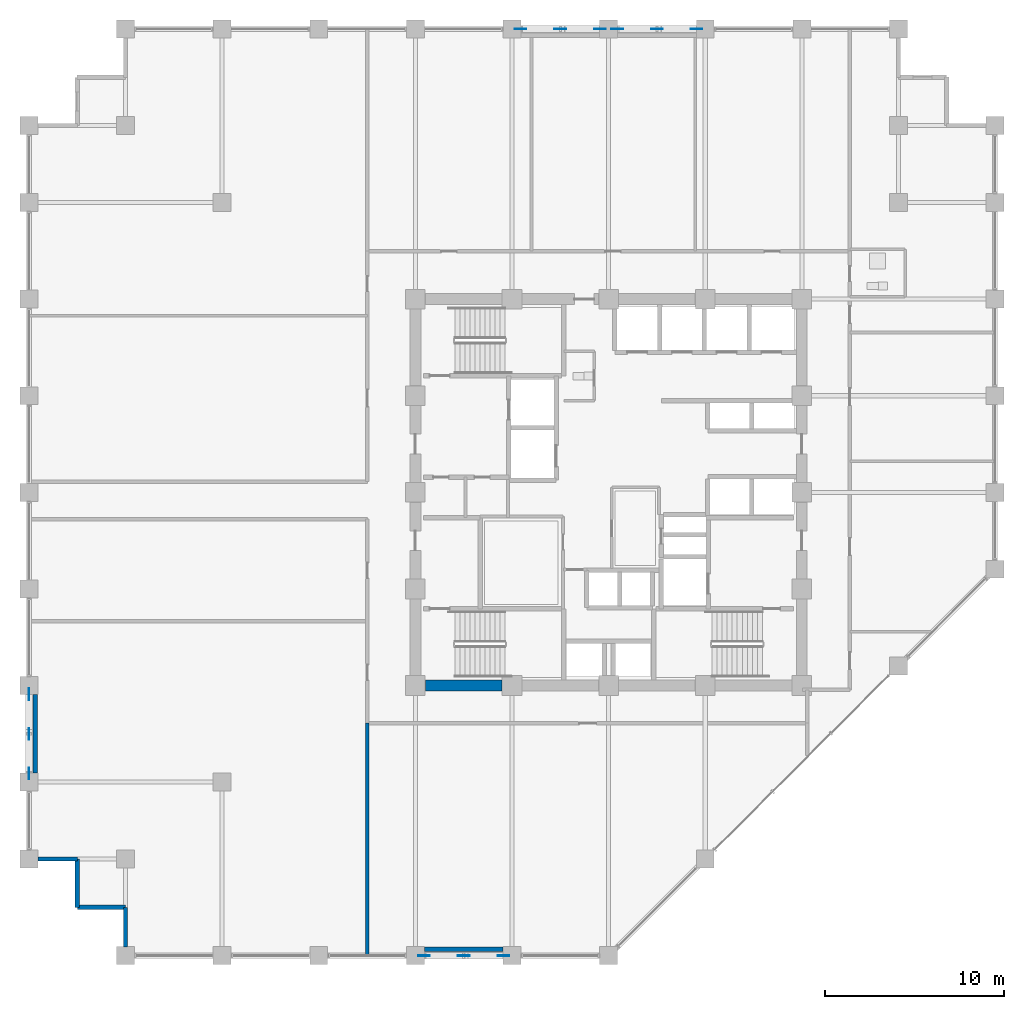
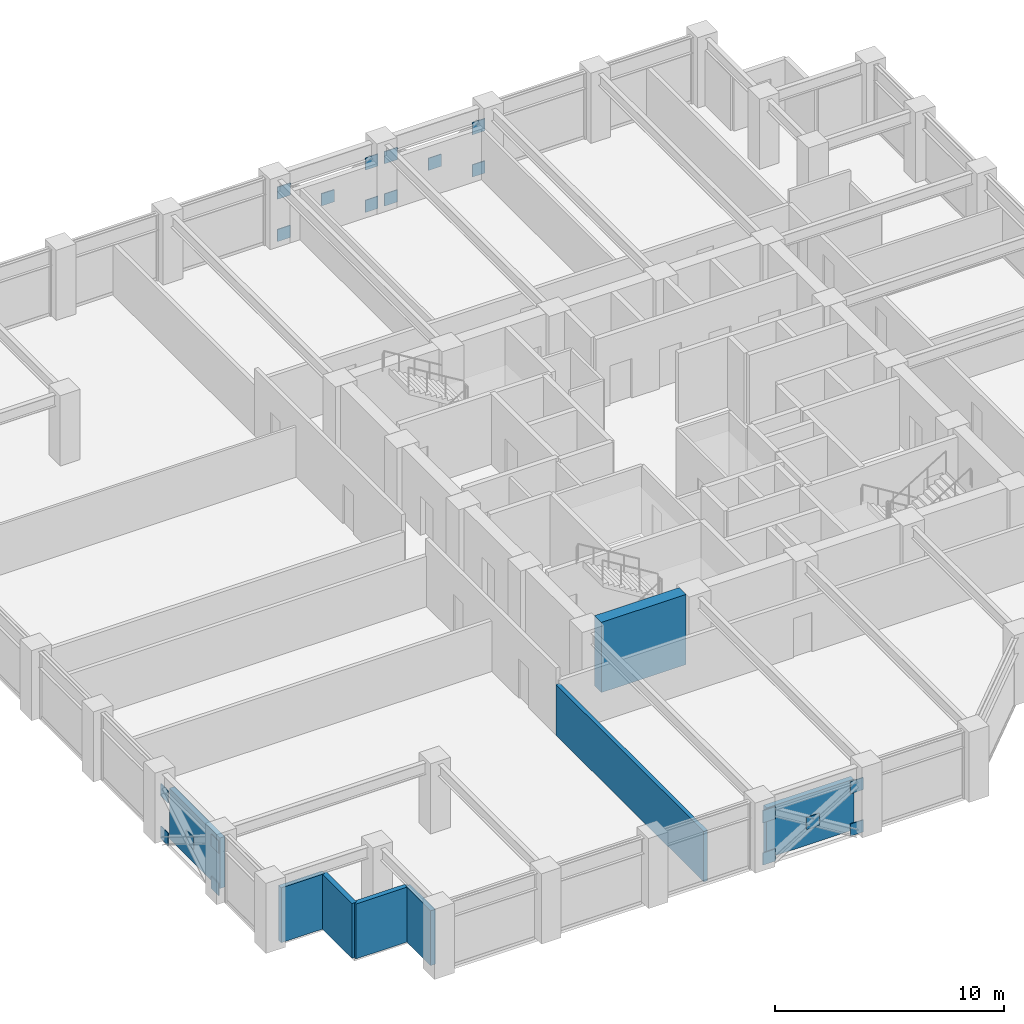
# One storey, part 18 of 23: 20 plates, 8 walls.
"""IFC4 building model written with IfcOpenShell, lengths in metres."""

import ifcopenshell
import ifcopenshell.guid

model = None  # the IFC model being written
_history = None  # IfcOwnerHistory: only IFC2X3 demands one
_inside = {}  # id of a spatial element -> (the spatial element, [elements in it])
_under = {}  # id of a project, library or spatial element -> (it, [spatial elements below it])
_declared = {}  # id of a project -> (the project, [libraries it declares])
_typed = {}  # id of a type object -> (the type object, [elements of that type])
_made_of = {}  # id of a material, layer set ... -> (it, [elements and type objects made of it])


def new_model(schema):
    """Start an empty IFC model of exactly this schema.

    Asked for "IFC4X3", IfcOpenShell would pick the latest addendum, in which some entities
    have other attributes; the version numbers below select the first issue.
    IFC2X3 requires an IfcOwnerHistory on every rooted entity: one is made here for all.
    """
    global model, _history
    if schema == "IFC4X3":
        model = ifcopenshell.file(schema_version=(4, 3, 0, 0))
    else:
        model = ifcopenshell.file(schema=schema)
    _inside.clear()
    _under.clear()
    _declared.clear()
    _typed.clear()
    _made_of.clear()
    _history = None
    if model.schema == "IFC2X3":
        org = make("IfcOrganization", Name="unknown")
        user = make(
            "IfcPersonAndOrganization",
            ThePerson=make("IfcPerson", FamilyName="unknown"),
            TheOrganization=org,
        )
        app = make(
            "IfcApplication",
            ApplicationDeveloper=org,
            Version="unknown",
            ApplicationFullName="unknown",
            ApplicationIdentifier="unknown",
        )
        _history = make(
            "IfcOwnerHistory",
            OwningUser=user,
            OwningApplication=app,
            ChangeAction="ADDED",
            CreationDate=0,
        )
    return model


def make(cls, **values):
    """One entity of the class cls with the attributes given. An attribute that is None is left unset."""
    return model.create_entity(
        cls, **{name: value for name, value in values.items() if value is not None}
    )


def rooted(cls, **values):
    """An entity with a GlobalId (a new one), such as an element, a storey or a relation."""
    return make(cls, GlobalId=ifcopenshell.guid.new(), OwnerHistory=_history, **values)


def si_unit(unit_type, name, prefix=None):
    """IfcSIUnit, for example si_unit("LENGTHUNIT", "METRE", prefix="MILLI")."""
    return make("IfcSIUnit", UnitType=unit_type, Prefix=prefix, Name=name)


def assignment(units):
    """IfcUnitAssignment: the units of a project."""
    return None if units is None else make("IfcUnitAssignment", Units=units)


def point(xyz):
    """IfcCartesianPoint."""
    return None if xyz is None else make("IfcCartesianPoint", Coordinates=xyz)


def direction(xyz):
    """IfcDirection."""
    return None if xyz is None else make("IfcDirection", DirectionRatios=xyz)


def frame(location, z_axis=None, x_axis=None):
    """IfcAxis2Placement3D, a coordinate frame: its origin and axes. An axis left out is left unset."""
    return make(
        "IfcAxis2Placement3D",
        Location=point(location),
        Axis=direction(z_axis),
        RefDirection=direction(x_axis),
    )


def frame_2d(location, x_axis=None):
    """IfcAxis2Placement2D, a coordinate frame in the plane: its origin and x axis."""
    return make(
        "IfcAxis2Placement2D", Location=point(location), RefDirection=direction(x_axis)
    )


def origin():
    """The frame at (0, 0, 0) with its axes left unset."""
    return frame((0.0, 0.0, 0.0))


def origin_2d():
    """The frame at (0, 0) in the plane with its x axis left unset."""
    return frame_2d((0.0, 0.0))


def place(relative_to, where):
    """IfcLocalPlacement: puts the frame where relative to a parent placement (None: the world)."""
    return make(
        "IfcLocalPlacement", PlacementRelTo=relative_to, RelativePlacement=where
    )


def context(
    kind, dimensions, precision=None, world=None, true_north=None, identifier=None
):
    """IfcGeometricRepresentationContext, for example the 3D "Model" context."""
    return make(
        "IfcGeometricRepresentationContext",
        ContextIdentifier=identifier,
        ContextType=kind,
        CoordinateSpaceDimension=dimensions,
        Precision=precision,
        WorldCoordinateSystem=world,
        TrueNorth=true_north,
    )


def subcontext(parent, identifier, kind, view, scale=None):
    """IfcGeometricRepresentationSubContext, for example "Body" below "Model"."""
    return make(
        "IfcGeometricRepresentationSubContext",
        ContextIdentifier=identifier,
        ContextType=kind,
        ParentContext=parent,
        TargetScale=scale,
        TargetView=view,
    )


def project(units=None, contexts=None):
    """IfcProject with its units and contexts."""
    return rooted(
        "IfcProject",
        Name="project",
        RepresentationContexts=contexts,
        UnitsInContext=assignment(units),
    )


def spatial(cls, under=None, at=None, **own):
    """A site, building, storey or space (cls), placed at a placement, below another one or the project."""
    s = rooted(cls, ObjectPlacement=at, **own)
    if under is not None:
        _under.setdefault(under.id(), (under, []))[1].append(s)
    return s


def profile(cls, at=None, kind="AREA", **sizes):
    """A parametric profile (cls). Its sizes go by their IFC names, for example OverallWidth=200.0."""
    return make(cls, ProfileType=kind, Position=at, **sizes)


def rectangle(**sizes):
    """IfcRectangleProfileDef."""
    return profile("IfcRectangleProfileDef", **sizes)


def extrude(swept, where, along, depth):
    """IfcExtrudedAreaSolid: the profile swept, set in the frame where, extruded along a direction by depth."""
    return make(
        "IfcExtrudedAreaSolid",
        SweptArea=swept,
        Position=where,
        ExtrudedDirection=direction(along),
        Depth=depth,
    )


def shape(context_of_items, identifier, shape_type, items):
    """IfcShapeRepresentation: the items that make up one representation, for example the "Body"."""
    return make(
        "IfcShapeRepresentation",
        ContextOfItems=context_of_items,
        RepresentationIdentifier=identifier,
        RepresentationType=shape_type,
        Items=items,
    )


def material(Name=None, Category=None):
    """IfcMaterial."""
    return make("IfcMaterial", Name=Name, Category=Category)


def layer(
    of_material, thickness, ventilated=None, Name=None, Category=None, Priority=None
):
    """IfcMaterialLayer: one layer of a wall or slab, of a material (None: an air gap)."""
    return make(
        "IfcMaterialLayer",
        Material=of_material,
        LayerThickness=thickness,
        IsVentilated=ventilated,
        Name=Name,
        Category=Category,
        Priority=Priority,
    )


def layer_set(layers, Name=None):
    """IfcMaterialLayerSet."""
    return make("IfcMaterialLayerSet", MaterialLayers=layers, LayerSetName=Name)


def made_of(thing, what):
    """Note that an element or type object is made of a material, layer set ...; save() writes the relation."""
    if what is not None:
        _made_of.setdefault(what.id(), (what, []))[1].append(thing)
    return thing


def type_object(cls, material=None, **own):
    """A type object (cls), such as IfcWallType, which elements share."""
    return made_of(rooted(cls, **own), material)


def element(
    cls,
    number,
    at=None,
    inside=None,
    cuts=None,
    type_object=None,
    material=None,
    context=None,
    identifier="Body",
    shape_type=None,
    held_by="IfcProductDefinitionShape",
    body=None,
    shapes=None,
    **own,
):
    """One element of the class cls, such as IfcWall. Its Tag is "e" and its number.

    at: its placement. inside: the storey or other place that contains it. cuts: it is an
    opening in that element (IfcRelVoidsElement). A single representation is given by context,
    identifier, shape_type and body (its items); several are given by shapes. held_by: the class
    of the entity that holds the representations. save() writes the other relations.
    """
    e = rooted(cls, Tag="e%d" % number, ObjectPlacement=at, **own)
    if body is not None:
        shapes = [shape(context, identifier, shape_type, body)]
    if shapes is not None:
        e.Representation = make(held_by, Representations=shapes)
    if inside is not None:
        _inside.setdefault(inside.id(), (inside, []))[1].append(e)
    if cuts is not None:
        rooted(
            "IfcRelVoidsElement", RelatingBuildingElement=cuts, RelatedOpeningElement=e
        )
    if type_object is not None:
        _typed.setdefault(type_object.id(), (type_object, []))[1].append(e)
    return made_of(e, material)


def aggregate(whole, parts):
    """IfcRelAggregates: a whole, such as a stair, and the parts it consists of."""
    return rooted("IfcRelAggregates", RelatingObject=whole, RelatedObjects=parts)


def save(model, path):
    """Write the relations noted so far, then the file.

    IfcRelAggregates (storeys below a building ...), IfcRelContainedInSpatialStructure (elements
    in a storey), IfcRelDefinesByType, IfcRelAssociatesMaterial and IfcRelDeclares: one each for
    every whole, place, type object, material and project.
    """
    for whole, parts in _under.values():
        aggregate(whole, parts)
    for where, things in _inside.values():
        rooted(
            "IfcRelContainedInSpatialStructure",
            RelatedElements=things,
            RelatingStructure=where,
        )
    for kind, things in _typed.values():
        rooted("IfcRelDefinesByType", RelatedObjects=things, RelatingType=kind)
    for what, things in _made_of.values():
        rooted("IfcRelAssociatesMaterial", RelatedObjects=things, RelatingMaterial=what)
    for by, libraries in _declared.values():
        rooted("IfcRelDeclares", RelatingContext=by, RelatedDefinitions=libraries)
    model.write(path)


model = new_model("IFC4")

# Units and contexts
model_context = context("Model", 3, precision=1e-05, world=origin(), true_north=direction((0.0, 1.0)))
body_context = subcontext(model_context, "Body", "Model", "MODEL_VIEW")
ifc_project = project(units=[si_unit("LENGTHUNIT", "METRE"), si_unit("AREAUNIT", "SQUARE_METRE"), si_unit("VOLUMEUNIT", "CUBIC_METRE"), si_unit("PLANEANGLEUNIT", "RADIAN"), si_unit("MASSUNIT", "GRAM", prefix="KILO")], contexts=[model_context])

# Site, building, storey
site_placement = place(None, origin())
site = spatial("IfcSite", under=ifc_project, at=site_placement, CompositionType="ELEMENT")
building_placement = place(site_placement, origin())
building = spatial("IfcBuilding", under=site, at=building_placement, Name="Surkhivell Harbour Commons", CompositionType="ELEMENT")
storey_placement = place(building_placement, frame((0.0, 0.0, 128.25)))
storey = spatial("IfcBuildingStorey", under=building, at=storey_placement, Name="L33", CompositionType="ELEMENT", Elevation=128.25)

# Plates
ifc_material_1 = material(Name="Steel S460", Category="steel")
ifc_layer_1 = layer(ifc_material_1, 0.044921875)
ifc_layer_set_1 = layer_set([ifc_layer_1], Name="Steel S460")
plate_type = type_object("IfcPlateType", Name="PLT-GUS-650", PredefinedType="USERDEFINED", material=ifc_layer_set_1)
for number, where, z_axis, x_axis, name in (
    (1, (-4.9150390625, 25.89990234375, -0.08935546875), (0.0, 0.0, 1.0), (1.0, 0.0, 0.0), "L33 Perimeter Mega-Brace MB- Corner Gusset N-1"),
    (2, (-0.485107421875, 25.89990234375, -0.08935546875), (0.0, 0.0, 1.0), (1.0, 0.0, 0.0), "L33 Perimeter Mega-Brace MB- Corner Gusset N-2"),
    (3, (-4.9150390625, 25.89990234375, 2.170654296875), (0.0, 0.0, 1.0), (1.0, 0.0, 0.0), "L33 Perimeter Mega-Brace MB- Corner Gusset N-3"),
    (4, (-0.485107421875, 25.89990234375, 2.170654296875), (0.0, 0.0, 1.0), (1.0, 0.0, 0.0), "L33 Perimeter Mega-Brace MB- Corner Gusset N-4"),
    (5, (-2.699951171875, 25.89990234375, 1.04052734375), (0.0, 0.0, 1.0), (1.0, 0.0, 0.0), "L33 Perimeter Mega-Brace MB- Central Crossing Gusset N"),
    (6, (0.485107421875, 25.89990234375, -0.08935546875), (0.0, 0.0, 1.0), (1.0, 0.0, 0.0), "L33 Perimeter Mega-Brace MB- Corner Gusset N2-1"),
    (7, (4.9150390625, 25.89990234375, -0.08935546875), (0.0, 0.0, 1.0), (1.0, 0.0, 0.0), "L33 Perimeter Mega-Brace MB- Corner Gusset N2-2"),
    (8, (0.485107421875, 25.89990234375, 2.170654296875), (0.0, 0.0, 1.0), (1.0, 0.0, 0.0), "L33 Perimeter Mega-Brace MB- Corner Gusset N2-3"),
    (9, (4.9150390625, 25.89990234375, 2.170654296875), (0.0, 0.0, 1.0), (1.0, 0.0, 0.0), "L33 Perimeter Mega-Brace MB- Corner Gusset N2-4"),
    (10, (2.699951171875, 25.89990234375, 1.04052734375), (0.0, 0.0, 1.0), (1.0, 0.0, 0.0), "L33 Perimeter Mega-Brace MB- Central Crossing Gusset N2"),
    (11, (-10.31494140625, -25.89990234375, -0.08935546875), (0.0, 0.0, 1.0), (1.0, 0.0, 0.0), "L33 Perimeter Mega-Brace MB- Corner Gusset S-1"),
    (12, (-5.885009765625, -25.89990234375, -0.08935546875), (0.0, 0.0, 1.0), (1.0, 0.0, 0.0), "L33 Perimeter Mega-Brace MB- Corner Gusset S-2"),
    (13, (-10.31494140625, -25.89990234375, 2.170654296875), (0.0, 0.0, 1.0), (1.0, 0.0, 0.0), "L33 Perimeter Mega-Brace MB- Corner Gusset S-3"),
    (14, (-5.885009765625, -25.89990234375, 2.170654296875), (0.0, 0.0, 1.0), (1.0, 0.0, 0.0), "L33 Perimeter Mega-Brace MB- Corner Gusset S-4"),
    (15, (-8.10009765625, -25.89990234375, 1.04052734375), (0.0, 0.0, 1.0), (1.0, 0.0, 0.0), "L33 Perimeter Mega-Brace MB- Central Crossing Gusset S"),
    (16, (-32.39990234375, -15.715087890625, -0.08935546875), (0.0, 0.0, 1.0), (0.0, 1.0, 0.0), "L33 Perimeter Mega-Brace MB- Corner Gusset W-1"),
    (17, (-32.39990234375, -11.284912109375, -0.08935546875), (0.0, 0.0, 1.0), (0.0, 1.0, 0.0), "L33 Perimeter Mega-Brace MB- Corner Gusset W-2"),
    (18, (-32.39990234375, -15.715087890625, 2.170654296875), (0.0, 0.0, 1.0), (0.0, 1.0, 0.0), "L33 Perimeter Mega-Brace MB- Corner Gusset W-3"),
    (19, (-32.39990234375, -11.284912109375, 2.170654296875), (0.0, 0.0, 1.0), (0.0, 1.0, 0.0), "L33 Perimeter Mega-Brace MB- Corner Gusset W-4"),
    (20, (-32.39990234375, -13.5, 1.04052734375), (0.0, 0.0, 1.0), (0.0, 1.0, 0.0), "L33 Perimeter Mega-Brace MB- Central Crossing Gusset W"),
):
    element("IfcPlate", number, at=place(storey_placement, frame(where, z_axis=z_axis, x_axis=x_axis)), inside=storey, type_object=plate_type, Name=name, ObjectType="GUSSET_PLATE", PredefinedType="USERDEFINED", context=body_context, shape_type="SweptSolid", body=[
        extrude(rectangle(XDim=0.64990234375, YDim=0.044921875, at=origin_2d()), origin(), (0.0, 0.0, 1.0), 0.64990234375),
    ])

# Walls
ifc_material_2 = material(Name="Concrete C60/75", Category="concrete")
ifc_layer_2 = layer(ifc_material_2, 0.60009765625)
ifc_layer_set_2 = layer_set([ifc_layer_2], Name="Concrete C60/75")
wall_type_1 = type_object("IfcWallType", Name="WAL-CORE-600", PredefinedType="SHEAR", material=ifc_layer_set_2)
wall_1_placement = place(storey_placement, frame((-10.239990234375, -10.800048828125, 0.0), z_axis=(0.0, 0.0, 1.0), x_axis=(1.0, 0.0, 0.0)))
element("IfcWall", 21, at=wall_1_placement, inside=storey, type_object=wall_type_1, Name="L33 Core Shear Wall South 1", PredefinedType="SHEAR", context=body_context, shape_type="SweptSolid", body=[
    extrude(rectangle(XDim=4.280029296875, YDim=0.60009765625, at=frame_2d((2.14013671875, 0.0))), origin(), (0.0, 0.0, 1.0), 3.75),
])
ifc_material_3 = material(Name="Pale-metal insulated precast concrete C45/55", Category="concrete")
ifc_layer_3 = layer(ifc_material_3, 0.260009765625)
ifc_layer_set_3 = layer_set([ifc_layer_3], Name="Pale-metal insulated precast concrete C45/55")
wall_type_2 = type_object("IfcWallType", Name="WAL-EXT-MTL260", PredefinedType="STANDARD", material=ifc_layer_set_3)
wall_2_placement = place(storey_placement, frame((-10.302001953125, -25.5400390625, 0.0), z_axis=(0.0, 0.0, 1.0), x_axis=(1.0, 0.0, 0.0)))
element("IfcWall", 22, at=wall_2_placement, inside=storey, type_object=wall_type_2, Name="L33 Braced-Bay Insulated Spandrel Backing S", PredefinedType="STANDARD", context=body_context, shape_type="SweptSolid", body=[
    extrude(rectangle(XDim=4.404052734375, YDim=0.260009765625, at=frame_2d((2.2021484375, 0.0))), origin(), (0.0, 0.0, 1.0), 2.698974609375),
])
wall_3_placement = place(storey_placement, frame((-32.0400390625, -11.298095703125, 0.0), z_axis=(0.0, 0.0, 1.0), x_axis=(0.0, -1.0, 0.0)))
element("IfcWall", 23, at=wall_3_placement, inside=storey, type_object=wall_type_2, Name="L33 Braced-Bay Insulated Spandrel Backing W", PredefinedType="STANDARD", context=body_context, shape_type="SweptSolid", body=[
    extrude(rectangle(XDim=4.40380859375, YDim=0.260009765625, at=frame_2d((2.201904296875, 0.0))), origin(), (0.0, 0.0, 1.0), 2.698974609375),
])
ifc_material_4 = material(Name="Bronze-ochre cassette precast concrete C45/55", Category="concrete")
ifc_layer_4 = layer(ifc_material_4, 0.239990234375)
ifc_layer_set_4 = layer_set([ifc_layer_4], Name="Bronze-ochre cassette precast concrete C45/55")
wall_type_3 = type_object("IfcWallType", Name="WAL-EXT-OCH240", PredefinedType="STANDARD", material=ifc_layer_set_4)
wall_4_placement = place(storey_placement, frame((-31.902099609375, -20.5, 0.0), z_axis=(0.0, 0.0, 1.0), x_axis=(1.0, 0.0, 0.0)))
element("IfcWall", 24, at=wall_4_placement, inside=storey, type_object=wall_type_3, Name="L33 Serrated Corner Facade Wall 13", PredefinedType="STANDARD", context=body_context, shape_type="SweptSolid", body=[
    extrude(rectangle(XDim=2.2021484375, YDim=0.239990234375, at=frame_2d((1.10107421875, 0.0))), origin(), (0.0, 0.0, 1.0), 2.93310546875),
])
for number, where, z_axis, x_axis, name in (
    (25, (-29.699951171875, -20.5, 0.0), (0.0, 0.0, 1.0), (0.0, -1.0, 0.0), "L33 Serrated Corner Facade Wall 14"),
    (26, (-29.699951171875, -23.199951171875, 0.0), (0.0, 0.0, 1.0), (1.0, 0.0, 0.0), "L33 Serrated Corner Facade Wall 15"),
):
    element("IfcWall", number, at=place(storey_placement, frame(where, z_axis=z_axis, x_axis=x_axis)), inside=storey, type_object=wall_type_3, Name=name, PredefinedType="STANDARD", context=body_context, shape_type="SweptSolid", body=[
        extrude(rectangle(XDim=2.699951171875, YDim=0.239990234375, at=frame_2d((1.35009765625, 0.0))), origin(), (0.0, 0.0, 1.0), 2.93310546875),
    ])
wall_5_placement = place(storey_placement, frame((-27.0, -23.199951171875, 0.0), z_axis=(0.0, 0.0, 1.0), x_axis=(0.0, -1.0, 0.0)))
element("IfcWall", 27, at=wall_5_placement, inside=storey, type_object=wall_type_3, Name="L33 Serrated Corner Facade Wall 16", PredefinedType="STANDARD", context=body_context, shape_type="SweptSolid", body=[
    extrude(rectangle(XDim=2.2021484375, YDim=0.239990234375, at=frame_2d((1.10107421875, 0.0))), origin(), (0.0, 0.0, 1.0), 2.93310546875),
])
ifc_material_5 = material(Name="Autoclaved aerated concrete blockwork and fire plaster", Category="masonry")
ifc_layer_5 = layer(ifc_material_5, 0.199951171875)
ifc_layer_set_5 = layer_set([ifc_layer_5], Name="Autoclaved aerated concrete blockwork and fire plaster")
wall_type_4 = type_object("IfcWallType", Name="WAL-INT-200", PredefinedType="PARTITIONING", material=ifc_layer_set_5)
wall_6_placement = place(storey_placement, frame((-13.47998046875, -25.840087890625, 0.0), z_axis=(0.0, 0.0, 1.0), x_axis=(0.0, 1.0, 0.0)))
element("IfcWall", 28, at=wall_6_placement, inside=storey, type_object=wall_type_4, Name="L33 South-West Wing Corner Divider", PredefinedType="PARTITIONING", context=body_context, shape_type="SweptSolid", body=[
    extrude(rectangle(XDim=12.940185546875, YDim=0.199951171875, at=frame_2d((6.47021484375, 0.0))), origin(), (0.0, 0.0, 1.0), 2.698974609375),
])

save(model, "model.ifc")
